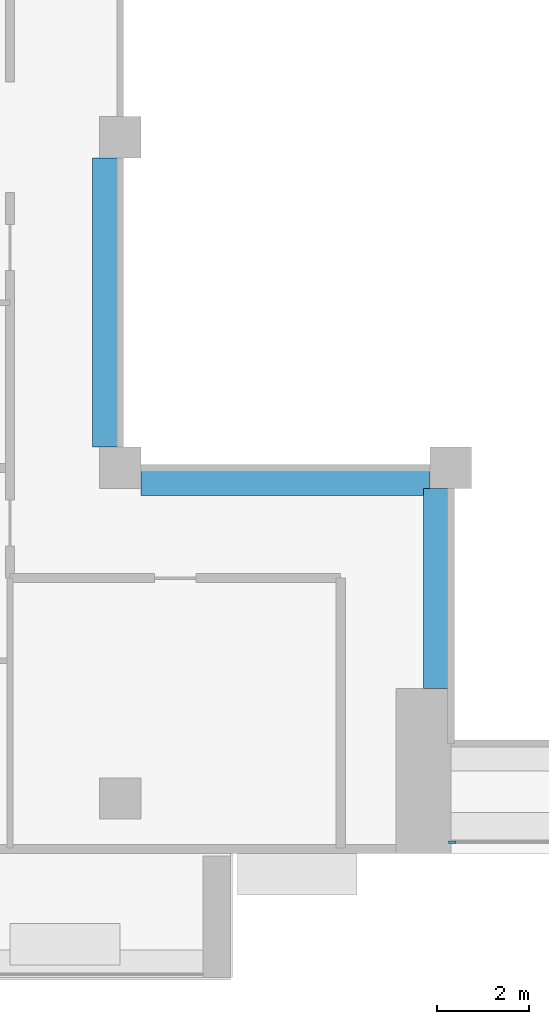
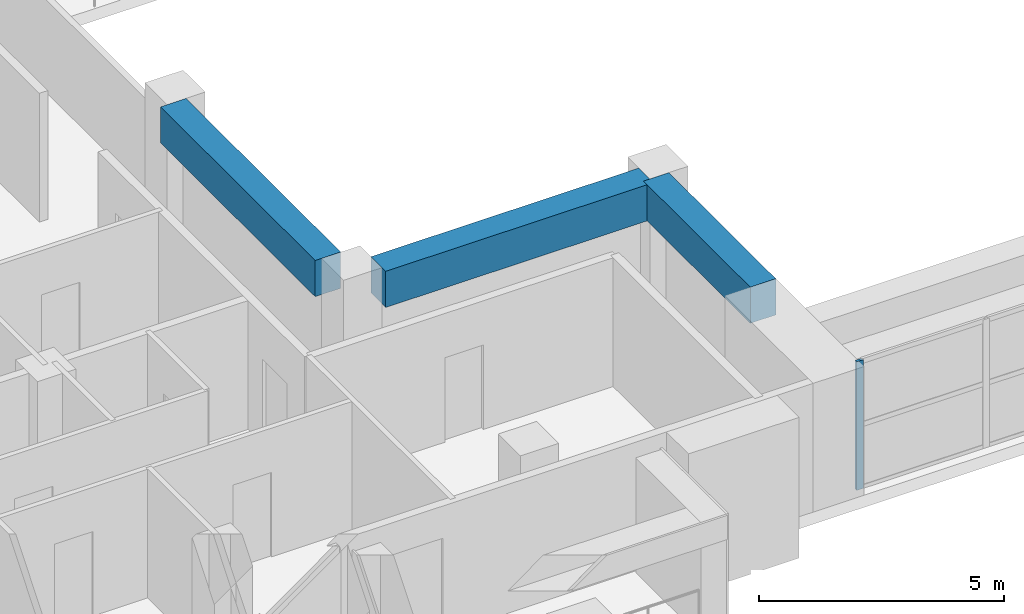
# One storey, part 2 of 20: 3 beams, 1 member, 1 element without a shape of its own.
"""IFC4 building model written with IfcOpenShell, lengths in metres."""

from ifc_helpers import new_model, si_unit, direction, frame, origin, origin_2d, place, context, subcontext, project, spatial, rectangle, extrude, source, transform, mapped, material, layer, layer_set, material_profile, profile_set, type_object, element, aggregate, save


model = new_model("IFC4")

# Units and contexts
model_context = context("Model", 3, precision=1e-05, world=origin(), true_north=direction((0.0, 1.0)))
body_context = subcontext(model_context, "Body", "Model", "MODEL_VIEW")
ifc_project = project(units=[si_unit("LENGTHUNIT", "METRE"), si_unit("AREAUNIT", "SQUARE_METRE"), si_unit("VOLUMEUNIT", "CUBIC_METRE"), si_unit("PLANEANGLEUNIT", "RADIAN"), si_unit("MASSUNIT", "GRAM", prefix="KILO")], contexts=[model_context])

# Site, building, storey
site_placement = place(None, origin())
site = spatial("IfcSite", under=ifc_project, at=site_placement, CompositionType="ELEMENT")
building_placement = place(site_placement, origin())
building = spatial("IfcBuilding", under=site, at=building_placement, Name="Saffron Iwan Residences", CompositionType="ELEMENT")
storey_placement = place(building_placement, frame((0.0, 0.0, 174.5)))
storey = spatial("IfcBuildingStorey", under=building, at=storey_placement, Name="L46", CompositionType="ELEMENT", Elevation=174.5)

# Beams
ifc_material_1 = material(Name="Concrete C50/60", Category="concrete")
ifc_material_profile_1 = material_profile(ifc_material_1, rectangle(XDim=0.60009765625, YDim=0.89990234375, at=origin_2d()), Name="RC 600x900")
ifc_profile_set_1 = profile_set([ifc_material_profile_1], Name="Concrete C50/60")
beam_type = type_object("IfcBeamType", Name="BEAM RC 600x900 C50/60 TOP 3200", PredefinedType="BEAM", material=ifc_profile_set_1)
shared_shape_1 = source(origin(), body_context, "Body", "SweptSolid", [
    extrude(rectangle(XDim=0.60009765625, YDim=0.89990234375, at=origin_2d()), origin(), (0.0, 0.0, 1.0), 4.35009765625),
])
beam_placement = place(storey_placement, frame((42.89990234375, 43.199951171875, 2.75), z_axis=(0.0, 1.0, 0.0), x_axis=(-1.0, 0.0, 0.0)))
element("IfcBeam", 1, at=beam_placement, inside=storey, type_object=beam_type, Name="Atrium edge beam", PredefinedType="BEAM", context=body_context, shape_type="MappedRepresentation", body=[
    mapped(shared_shape_1, transform((0.0, 0.0, 0.0))),
])
shared_shape_2 = source(origin(), body_context, "Body", "SweptSolid", [
    extrude(rectangle(XDim=0.60009765625, YDim=0.89990234375, at=origin_2d()), origin(), (0.0, 0.0, 1.0), 6.300048828125),
])
for number, where, z_axis, x_axis, name in (
    (2, (42.75, 47.699951171875, 2.75), (-1.0, 0.0, 0.0), (0.0, -1.0, 0.0), "Atrium edge beam"),
    (3, (35.699951171875, 48.449951171875, 2.75), (0.0, 1.0, 0.0), (-1.0, 0.0, 0.0), "Atrium edge beam"),
):
    element("IfcBeam", number, at=place(storey_placement, frame(where, z_axis=z_axis, x_axis=x_axis)), inside=storey, type_object=beam_type, Name=name, PredefinedType="BEAM", context=body_context, shape_type="MappedRepresentation", body=[
        mapped(shared_shape_2, transform((0.0, 0.0, 0.0))),
    ])

# Curtain wall, member
ifc_material_2 = material(Name="Clear glass, laminated double glazed", Category="glass")
ifc_layer = layer(ifc_material_2, 0.199951171875)
ifc_layer_set = layer_set([ifc_layer], Name="Clear glass, laminated double glazed")
curtain_wall_type = type_object("IfcCurtainWallType", Name="CW-B IWAN PORTAL", PredefinedType="NOTDEFINED", material=ifc_layer_set)
curtain_wall_placement = place(storey_placement, origin())
curtain_wall = element("IfcCurtainWall", 4, at=curtain_wall_placement, inside=storey, type_object=curtain_wall_type, Name="Iwan portal glazing L46.1", PredefinedType="NOTDEFINED")
ifc_material_3 = material(Name="Aluminium 6063-T6", Category="aluminium")
ifc_material_profile_2 = material_profile(ifc_material_3, rectangle(XDim=0.06005859375, YDim=0.159912109375, at=origin_2d()), Name="CW-B MULLION 60 x 160")
ifc_profile_set_2 = profile_set([ifc_material_profile_2], Name="Aluminium 6063-T6")
member_type = type_object("IfcMemberType", Name="CW-B MULLION 60 x 160", PredefinedType="MULLION", material=ifc_profile_set_2)
shared_shape_3 = source(origin(), body_context, "Body", "SweptSolid", [
    extrude(rectangle(XDim=0.06005859375, YDim=0.159912109375, at=origin_2d()), origin(), (0.0, 0.0, 1.0), 3.199951171875),
])
member_placement = place(storey_placement, frame((43.22998046875, 39.85009765625, 0.0), z_axis=(0.0, 0.0, 1.0), x_axis=(0.0, 1.0, 0.0)))
member = element("IfcMember", 5, at=member_placement, type_object=member_type, Name="CW-B mullion 1", PredefinedType="MULLION", context=body_context, shape_type="MappedRepresentation", body=[
    mapped(shared_shape_3, transform((0.0, 0.0, 0.0))),
])
aggregate(curtain_wall, [member])

save(model, "model.ifc")
